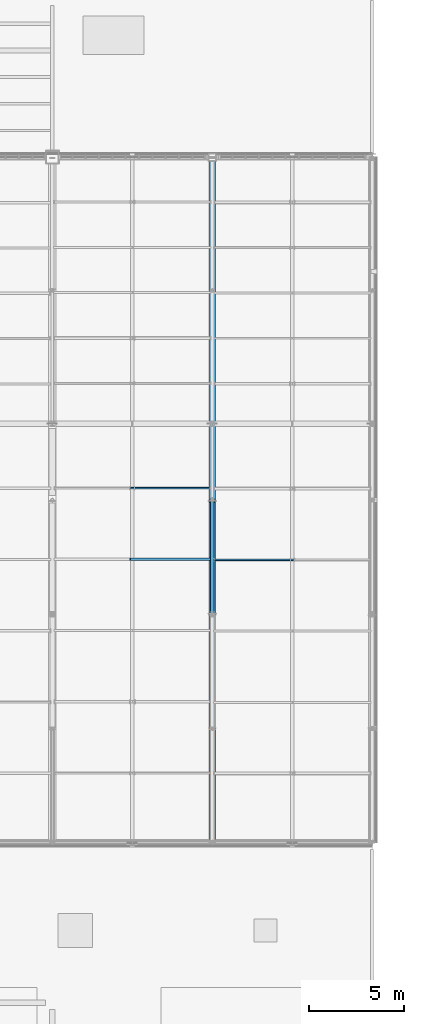
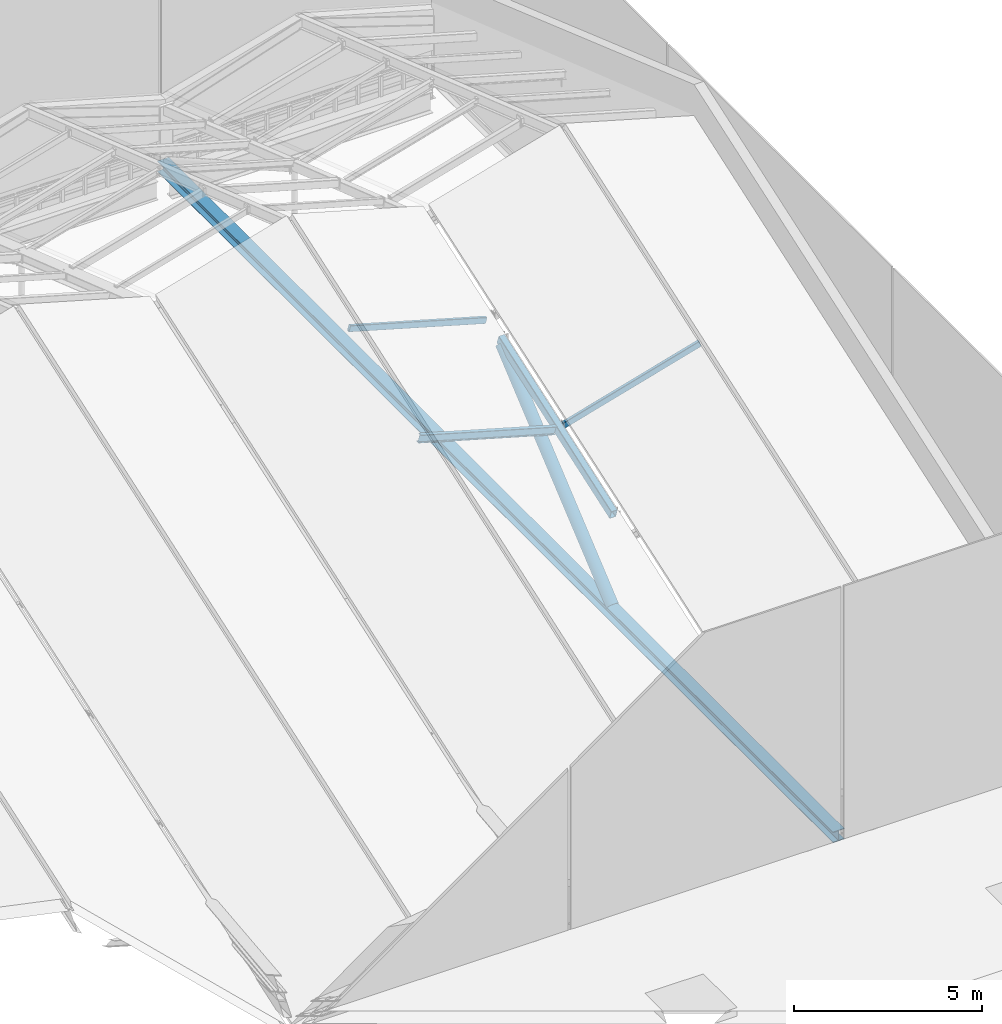
# One storey, part 30 of 77: 6 members.
"""IFC4 building model written with IfcOpenShell, lengths in metres."""

from ifc_helpers import new_model, si_unit, direction, frame, origin, origin_2d, place, context, subcontext, project, spatial, hollow_rectangle, hollow_circle, i_section, extrude, material, material_profile, profile_set, type_object, element, save


model = new_model("IFC4")

# Units and contexts
model_context = context("Model", 3, precision=1e-05, world=origin(), true_north=direction((0.0, 1.0)))
body_context = subcontext(model_context, "Body", "Model", "MODEL_VIEW")
ifc_project = project(units=[si_unit("LENGTHUNIT", "METRE"), si_unit("AREAUNIT", "SQUARE_METRE"), si_unit("VOLUMEUNIT", "CUBIC_METRE"), si_unit("PLANEANGLEUNIT", "RADIAN"), si_unit("MASSUNIT", "GRAM", prefix="KILO")], contexts=[model_context])

# Site, building, storey
site_placement = place(None, origin())
site = spatial("IfcSite", under=ifc_project, at=site_placement, CompositionType="ELEMENT")
building_placement = place(site_placement, origin())
building = spatial("IfcBuilding", under=site, at=building_placement, Name="Larkvane Passage Sports Hall", CompositionType="ELEMENT")
storey_placement = place(building_placement, frame((0.0, 0.0, 22.199951171875)))
storey = spatial("IfcBuildingStorey", under=building, at=storey_placement, Name="RF", CompositionType="ELEMENT", Elevation=22.199951171875)

# Members
ifc_material_1 = material(Name="Steel S460N", Category="steel")
ifc_material_profile_1 = material_profile(ifc_material_1, hollow_circle(Radius=0.177734375, WallThickness=0.0126953125, at=origin_2d()), Name="CHS-355.6x12.7")
ifc_profile_set_1 = profile_set([ifc_material_profile_1], Name="Steel S460N")
member_type_1 = type_object("IfcMemberType", Name="MBR-BR-CHS355", PredefinedType="BRACE", material=ifc_profile_set_1)
member_1_placement = place(storey_placement, frame((85.199951171875, 51.64990234375, 0.215087890625), z_axis=(0.0, 0.766536517068, 0.642200722517), x_axis=(-1.0, 0.0, 0.0)))
element("IfcMember", 1, at=member_1_placement, inside=storey, type_object=member_type_1, Name="Arena roof truss 7 web brace 3", PredefinedType="BRACE", context=body_context, shape_type="SweptSolid", body=[
    extrude(hollow_circle(Radius=0.177734375, WallThickness=0.0126953125, at=origin_2d()), origin(), (0.0, 0.0, 1.0), 7.697265625),
])
ifc_material_profile_2 = material_profile(ifc_material_1, i_section(OverallWidth=0.35009765625, OverallDepth=0.35009765625, WebThickness=0.011962890625, FlangeThickness=0.01904296875, FilletRadius=0.012939453125, at=origin_2d()), Name="H-350x350x12x19")
ifc_profile_set_2 = profile_set([ifc_material_profile_2], Name="Steel S460N")
member_type_2 = type_object("IfcMemberType", Name="MBR-CH-H350", PredefinedType="CHORD", material=ifc_profile_set_2)
member_2_placement = place(storey_placement, frame((85.199951171875, 39.60009765625, 0.050048828125), z_axis=(0.0, 1.0, 0.0), x_axis=(-1.0, 0.0, 0.0)))
element("IfcMember", 2, at=member_2_placement, inside=storey, type_object=member_type_2, Name="Arena roof truss 7 bottom chord", PredefinedType="CHORD", context=body_context, shape_type="SweptSolid", body=[
    extrude(i_section(OverallWidth=0.35009765625, OverallDepth=0.35009765625, WebThickness=0.011962890625, FlangeThickness=0.01904296875, FilletRadius=0.012939453125, at=origin_2d()), origin(), (0.0, 0.0, 1.0), 36.0),
])
ifc_material_profile_3 = material_profile(ifc_material_1, hollow_rectangle(XDim=0.199951171875, YDim=0.300048828125, WallThickness=0.011962890625, InnerFilletRadius=0.011962890625, OuterFilletRadius=0.02392578125, at=origin_2d()), Name="RHS-300x200x12")
ifc_profile_set_3 = profile_set([ifc_material_profile_3], Name="Steel S460N")
member_type_3 = type_object("IfcMemberType", Name="MBR-CH-RHS300", PredefinedType="CHORD", material=ifc_profile_set_3)
member_3_placement = place(storey_placement, frame((85.199951171875, 51.60009765625, 3.2255859375), z_axis=(0.0, 0.945188910593, 0.326524001096), x_axis=(-1.0, 0.0, 0.0)))
element("IfcMember", 3, at=member_3_placement, inside=storey, type_object=member_type_3, Name="Arena roof truss 7 top chord 3", PredefinedType="CHORD", context=body_context, shape_type="SweptSolid", body=[
    extrude(hollow_rectangle(XDim=0.199951171875, YDim=0.300048828125, WallThickness=0.011962890625, InnerFilletRadius=0.011962890625, OuterFilletRadius=0.02392578125, at=origin_2d()), origin(), (0.0, 0.0, 1.0), 6.347900390625),
])
ifc_material_2 = material(Name="Steel S355JR", Category="steel")
ifc_material_profile_4 = material_profile(ifc_material_2, i_section(OverallWidth=0.125, OverallDepth=0.25, WebThickness=0.006103515625, FlangeThickness=0.009033203125, FilletRadius=0.008056640625, at=origin_2d()), Name="H-250x125x6x9")
ifc_profile_set_4 = profile_set([ifc_material_profile_4], Name="Steel S355JR")
member_type_4 = type_object("IfcMemberType", Name="MBR-PR-H250", PredefinedType="PURLIN", material=ifc_profile_set_4)
member_4_placement = place(storey_placement, frame((80.87744140625, 54.488037109375, 5.463134765625), z_axis=(0.96152605678, 0.0, -0.274713745804), x_axis=(0.0, 1.0, 0.0)))
element("IfcMember", 4, at=member_4_placement, inside=storey, type_object=member_type_4, Name="Folded roof purlin FRP-B6-SE-4", PredefinedType="PURLIN", context=body_context, shape_type="SweptSolid", body=[
    extrude(i_section(OverallWidth=0.125, OverallDepth=0.25, WebThickness=0.006103515625, FlangeThickness=0.009033203125, FilletRadius=0.008056640625, at=origin_2d()), origin(), (0.0, 0.0, 1.0), 4.367919921875),
])
ifc_material_profile_5 = material_profile(ifc_material_2, hollow_rectangle(XDim=0.10009765625, YDim=0.199951171875, WallThickness=0.008056640625, InnerFilletRadius=0.008056640625, OuterFilletRadius=0.01611328125, at=origin_2d()), Name="RHS-200x100x8")
ifc_profile_set_5 = profile_set([ifc_material_profile_5], Name="Steel S355JR")
member_type_5 = type_object("IfcMemberType", Name="MBR-PR-RHS200", PredefinedType="PURLIN", material=ifc_profile_set_5)
for number, where, z_axis, x_axis, name in (
    (5, (80.884033203125, 58.22021484375, 6.778076171875), (0.961511291812, 0.0, -0.274765419436), (0.0, 1.0, 0.0), "Folded roof purlin FRP-B6-SE-5"),
    (6, (85.295166015625, 54.455078125, 4.35888671875), (0.961511291812, 0.0, 0.274765419436), (0.0, 1.0, 0.0), "Folded roof purlin FRP-B7-SW-4"),
):
    element("IfcMember", number, at=place(storey_placement, frame(where, z_axis=z_axis, x_axis=x_axis)), inside=storey, type_object=member_type_5, Name=name, PredefinedType="PURLIN", context=body_context, shape_type="SweptSolid", body=[
        extrude(hollow_rectangle(XDim=0.10009765625, YDim=0.199951171875, WallThickness=0.008056640625, InnerFilletRadius=0.008056640625, OuterFilletRadius=0.01611328125, at=origin_2d()), origin(), (0.0, 0.0, 1.0), 4.3681640625),
    ])

save(model, "model.ifc")
